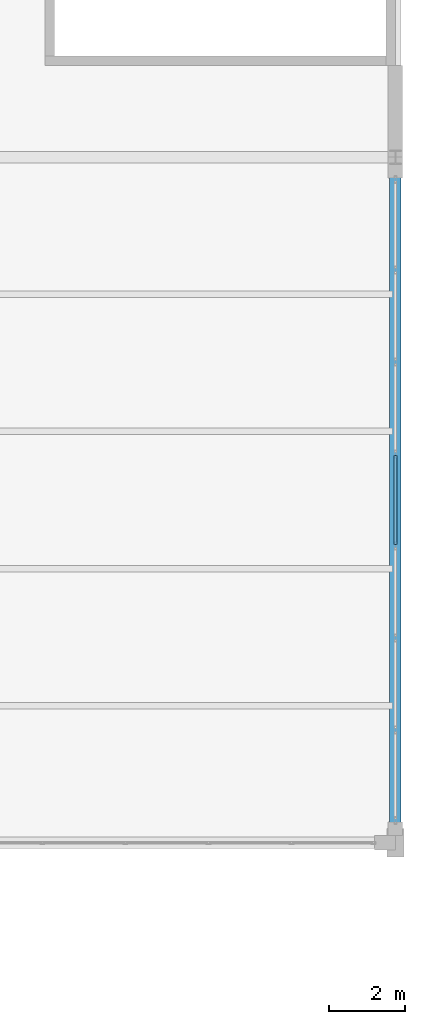
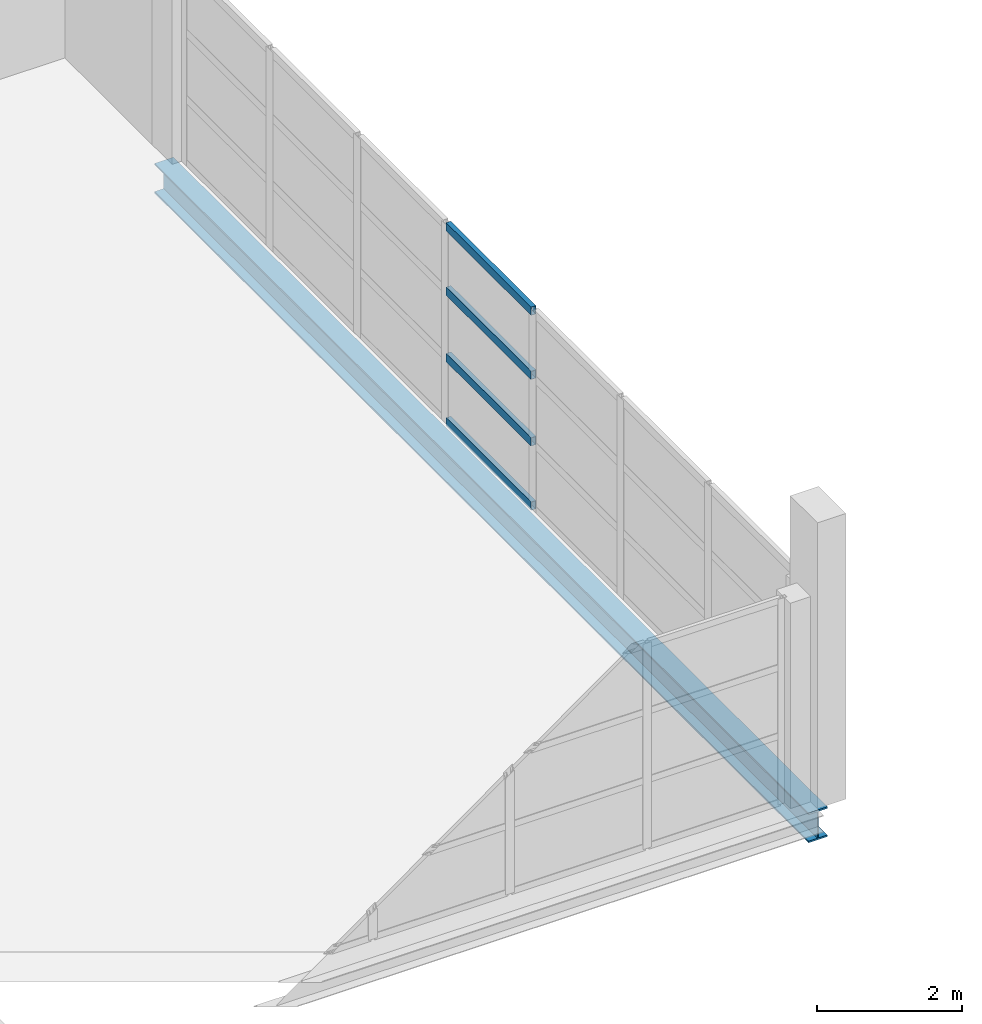
# One storey, part 39 of 86: 4 members, 1 beam, 1 element without a shape of its own.
"""IFC4 building model written with IfcOpenShell, lengths in metres."""

import ifcopenshell
import ifcopenshell.guid

model = None  # the IFC model being written
_history = None  # IfcOwnerHistory: only IFC2X3 demands one
_inside = {}  # id of a spatial element -> (the spatial element, [elements in it])
_under = {}  # id of a project, library or spatial element -> (it, [spatial elements below it])
_declared = {}  # id of a project -> (the project, [libraries it declares])
_typed = {}  # id of a type object -> (the type object, [elements of that type])
_made_of = {}  # id of a material, layer set ... -> (it, [elements and type objects made of it])


def new_model(schema):
    """Start an empty IFC model of exactly this schema.

    Asked for "IFC4X3", IfcOpenShell would pick the latest addendum, in which some entities
    have other attributes; the version numbers below select the first issue.
    IFC2X3 requires an IfcOwnerHistory on every rooted entity: one is made here for all.
    """
    global model, _history
    if schema == "IFC4X3":
        model = ifcopenshell.file(schema_version=(4, 3, 0, 0))
    else:
        model = ifcopenshell.file(schema=schema)
    _inside.clear()
    _under.clear()
    _declared.clear()
    _typed.clear()
    _made_of.clear()
    _history = None
    if model.schema == "IFC2X3":
        org = make("IfcOrganization", Name="unknown")
        user = make(
            "IfcPersonAndOrganization",
            ThePerson=make("IfcPerson", FamilyName="unknown"),
            TheOrganization=org,
        )
        app = make(
            "IfcApplication",
            ApplicationDeveloper=org,
            Version="unknown",
            ApplicationFullName="unknown",
            ApplicationIdentifier="unknown",
        )
        _history = make(
            "IfcOwnerHistory",
            OwningUser=user,
            OwningApplication=app,
            ChangeAction="ADDED",
            CreationDate=0,
        )
    return model


def make(cls, **values):
    """One entity of the class cls with the attributes given. An attribute that is None is left unset."""
    return model.create_entity(
        cls, **{name: value for name, value in values.items() if value is not None}
    )


def rooted(cls, **values):
    """An entity with a GlobalId (a new one), such as an element, a storey or a relation."""
    return make(cls, GlobalId=ifcopenshell.guid.new(), OwnerHistory=_history, **values)


def si_unit(unit_type, name, prefix=None):
    """IfcSIUnit, for example si_unit("LENGTHUNIT", "METRE", prefix="MILLI")."""
    return make("IfcSIUnit", UnitType=unit_type, Prefix=prefix, Name=name)


def assignment(units):
    """IfcUnitAssignment: the units of a project."""
    return None if units is None else make("IfcUnitAssignment", Units=units)


def point(xyz):
    """IfcCartesianPoint."""
    return None if xyz is None else make("IfcCartesianPoint", Coordinates=xyz)


def direction(xyz):
    """IfcDirection."""
    return None if xyz is None else make("IfcDirection", DirectionRatios=xyz)


def frame(location, z_axis=None, x_axis=None):
    """IfcAxis2Placement3D, a coordinate frame: its origin and axes. An axis left out is left unset."""
    return make(
        "IfcAxis2Placement3D",
        Location=point(location),
        Axis=direction(z_axis),
        RefDirection=direction(x_axis),
    )


def frame_2d(location, x_axis=None):
    """IfcAxis2Placement2D, a coordinate frame in the plane: its origin and x axis."""
    return make(
        "IfcAxis2Placement2D", Location=point(location), RefDirection=direction(x_axis)
    )


def origin():
    """The frame at (0, 0, 0) with its axes left unset."""
    return frame((0.0, 0.0, 0.0))


def origin_2d():
    """The frame at (0, 0) in the plane with its x axis left unset."""
    return frame_2d((0.0, 0.0))


def place(relative_to, where):
    """IfcLocalPlacement: puts the frame where relative to a parent placement (None: the world)."""
    return make(
        "IfcLocalPlacement", PlacementRelTo=relative_to, RelativePlacement=where
    )


def context(
    kind, dimensions, precision=None, world=None, true_north=None, identifier=None
):
    """IfcGeometricRepresentationContext, for example the 3D "Model" context."""
    return make(
        "IfcGeometricRepresentationContext",
        ContextIdentifier=identifier,
        ContextType=kind,
        CoordinateSpaceDimension=dimensions,
        Precision=precision,
        WorldCoordinateSystem=world,
        TrueNorth=true_north,
    )


def subcontext(parent, identifier, kind, view, scale=None):
    """IfcGeometricRepresentationSubContext, for example "Body" below "Model"."""
    return make(
        "IfcGeometricRepresentationSubContext",
        ContextIdentifier=identifier,
        ContextType=kind,
        ParentContext=parent,
        TargetScale=scale,
        TargetView=view,
    )


def project(units=None, contexts=None):
    """IfcProject with its units and contexts."""
    return rooted(
        "IfcProject",
        Name="project",
        RepresentationContexts=contexts,
        UnitsInContext=assignment(units),
    )


def spatial(cls, under=None, at=None, **own):
    """A site, building, storey or space (cls), placed at a placement, below another one or the project."""
    s = rooted(cls, ObjectPlacement=at, **own)
    if under is not None:
        _under.setdefault(under.id(), (under, []))[1].append(s)
    return s


def profile(cls, at=None, kind="AREA", **sizes):
    """A parametric profile (cls). Its sizes go by their IFC names, for example OverallWidth=200.0."""
    return make(cls, ProfileType=kind, Position=at, **sizes)


def hollow_rectangle(**sizes):
    """IfcRectangleHollowProfileDef."""
    return profile("IfcRectangleHollowProfileDef", **sizes)


def i_section(**sizes):
    """IfcIShapeProfileDef."""
    return profile("IfcIShapeProfileDef", **sizes)


def extrude(swept, where, along, depth):
    """IfcExtrudedAreaSolid: the profile swept, set in the frame where, extruded along a direction by depth."""
    return make(
        "IfcExtrudedAreaSolid",
        SweptArea=swept,
        Position=where,
        ExtrudedDirection=direction(along),
        Depth=depth,
    )


def shape(context_of_items, identifier, shape_type, items):
    """IfcShapeRepresentation: the items that make up one representation, for example the "Body"."""
    return make(
        "IfcShapeRepresentation",
        ContextOfItems=context_of_items,
        RepresentationIdentifier=identifier,
        RepresentationType=shape_type,
        Items=items,
    )


def material(Name=None, Category=None):
    """IfcMaterial."""
    return make("IfcMaterial", Name=Name, Category=Category)


def layer(
    of_material, thickness, ventilated=None, Name=None, Category=None, Priority=None
):
    """IfcMaterialLayer: one layer of a wall or slab, of a material (None: an air gap)."""
    return make(
        "IfcMaterialLayer",
        Material=of_material,
        LayerThickness=thickness,
        IsVentilated=ventilated,
        Name=Name,
        Category=Category,
        Priority=Priority,
    )


def layer_set(layers, Name=None):
    """IfcMaterialLayerSet."""
    return make("IfcMaterialLayerSet", MaterialLayers=layers, LayerSetName=Name)


def material_profile(
    of_material, cross_section, Name=None, Category=None, Priority=None
):
    """IfcMaterialProfile: a cross section and its material."""
    return make(
        "IfcMaterialProfile",
        Name=Name,
        Material=of_material,
        Profile=cross_section,
        Priority=Priority,
        Category=Category,
    )


def profile_set(profiles, Name=None, composite=None):
    """IfcMaterialProfileSet."""
    return make(
        "IfcMaterialProfileSet",
        Name=Name,
        MaterialProfiles=profiles,
        CompositeProfile=composite,
    )


def made_of(thing, what):
    """Note that an element or type object is made of a material, layer set ...; save() writes the relation."""
    if what is not None:
        _made_of.setdefault(what.id(), (what, []))[1].append(thing)
    return thing


def type_object(cls, material=None, **own):
    """A type object (cls), such as IfcWallType, which elements share."""
    return made_of(rooted(cls, **own), material)


def element(
    cls,
    number,
    at=None,
    inside=None,
    cuts=None,
    type_object=None,
    material=None,
    context=None,
    identifier="Body",
    shape_type=None,
    held_by="IfcProductDefinitionShape",
    body=None,
    shapes=None,
    **own,
):
    """One element of the class cls, such as IfcWall. Its Tag is "e" and its number.

    at: its placement. inside: the storey or other place that contains it. cuts: it is an
    opening in that element (IfcRelVoidsElement). A single representation is given by context,
    identifier, shape_type and body (its items); several are given by shapes. held_by: the class
    of the entity that holds the representations. save() writes the other relations.
    """
    e = rooted(cls, Tag="e%d" % number, ObjectPlacement=at, **own)
    if body is not None:
        shapes = [shape(context, identifier, shape_type, body)]
    if shapes is not None:
        e.Representation = make(held_by, Representations=shapes)
    if inside is not None:
        _inside.setdefault(inside.id(), (inside, []))[1].append(e)
    if cuts is not None:
        rooted(
            "IfcRelVoidsElement", RelatingBuildingElement=cuts, RelatedOpeningElement=e
        )
    if type_object is not None:
        _typed.setdefault(type_object.id(), (type_object, []))[1].append(e)
    return made_of(e, material)


def aggregate(whole, parts):
    """IfcRelAggregates: a whole, such as a stair, and the parts it consists of."""
    return rooted("IfcRelAggregates", RelatingObject=whole, RelatedObjects=parts)


def save(model, path):
    """Write the relations noted so far, then the file.

    IfcRelAggregates (storeys below a building ...), IfcRelContainedInSpatialStructure (elements
    in a storey), IfcRelDefinesByType, IfcRelAssociatesMaterial and IfcRelDeclares: one each for
    every whole, place, type object, material and project.
    """
    for whole, parts in _under.values():
        aggregate(whole, parts)
    for where, things in _inside.values():
        rooted(
            "IfcRelContainedInSpatialStructure",
            RelatedElements=things,
            RelatingStructure=where,
        )
    for kind, things in _typed.values():
        rooted("IfcRelDefinesByType", RelatedObjects=things, RelatingType=kind)
    for what, things in _made_of.values():
        rooted("IfcRelAssociatesMaterial", RelatedObjects=things, RelatingMaterial=what)
    for by, libraries in _declared.values():
        rooted("IfcRelDeclares", RelatingContext=by, RelatedDefinitions=libraries)
    model.write(path)


model = new_model("IFC4")

# Units and contexts
model_context = context("Model", 3, precision=1e-05, world=origin(), true_north=direction((0.0, 1.0)))
body_context = subcontext(model_context, "Body", "Model", "MODEL_VIEW")
ifc_project = project(units=[si_unit("LENGTHUNIT", "METRE"), si_unit("AREAUNIT", "SQUARE_METRE"), si_unit("VOLUMEUNIT", "CUBIC_METRE"), si_unit("PLANEANGLEUNIT", "RADIAN"), si_unit("MASSUNIT", "GRAM", prefix="KILO")], contexts=[model_context])

# Site, building, storey
site_placement = place(None, origin())
site = spatial("IfcSite", under=ifc_project, at=site_placement, CompositionType="ELEMENT")
building_placement = place(site_placement, origin())
building = spatial("IfcBuilding", under=site, at=building_placement, Name="Zilviju Railside Exhibition Hall", CompositionType="ELEMENT")
storey_placement = place(building_placement, frame((0.0, 0.0, 12.60009765625)))
storey = spatial("IfcBuildingStorey", under=building, at=storey_placement, Name="L04", CompositionType="ELEMENT", Elevation=12.60009765625)

# Beam
ifc_material_1 = material(Name="Steel S355J2", Category="steel")
ifc_material_profile_1 = material_profile(ifc_material_1, i_section(OverallWidth=0.300048828125, OverallDepth=0.5, WebThickness=0.014404296875, FlangeThickness=0.028076171875, at=origin_2d()), Name="HEB 500")
ifc_profile_set_1 = profile_set([ifc_material_profile_1], Name="Steel S355J2")
beam_type = type_object("IfcBeamType", Name="BM-HEB500", PredefinedType="BEAM", material=ifc_profile_set_1)
beam_placement = place(storey_placement, frame((216.0, 84.0, -0.580078125), z_axis=(0.0, 1.0, 0.0), x_axis=(-1.0, 0.0, 0.0)))
element("IfcBeam", 1, at=beam_placement, inside=storey, type_object=beam_type, Name="Transverse Girder L04 X=216.0 (84.0..102.0)", PredefinedType="BEAM", context=body_context, shape_type="SweptSolid", body=[
    extrude(i_section(OverallWidth=0.300048828125, OverallDepth=0.5, WebThickness=0.014404296875, FlangeThickness=0.028076171875, at=origin_2d()), origin(), (0.0, 0.0, 1.0), 18.0),
])

# Curtain wall, members
ifc_material_2 = material(Name="Thermally broken aluminium-steel triple-glazed curtain wall", Category="steel")
ifc_layer = layer(ifc_material_2, 0.179931640625)
ifc_layer_set = layer_set([ifc_layer], Name="Thermally broken aluminium-steel triple-glazed curtain wall")
curtain_wall_type = type_object("IfcCurtainWallType", Name="CW-BAY-13", PredefinedType="USERDEFINED", material=ifc_layer_set)
curtain_wall_placement = place(storey_placement, origin())
curtain_wall = element("IfcCurtainWall", 2, at=curtain_wall_placement, inside=storey, type_object=curtain_wall_type, Name="North Hall East Glazed Gable L04 (84..102)", ObjectType="GLAZED CURTAIN WALL", PredefinedType="USERDEFINED")
ifc_material_3 = material(Name="Thermally broken anodized aluminium transom", Category="aluminium")
ifc_material_profile_2 = material_profile(ifc_material_3, hollow_rectangle(XDim=0.074951171875, YDim=0.139892578125, WallThickness=0.0048828125, at=origin_2d()), Name="TRANSOM 140x75x5")
ifc_profile_set_2 = profile_set([ifc_material_profile_2], Name="Thermally broken anodized aluminium transom")
member_type = type_object("IfcMemberType", Name="CWT-75x140", PredefinedType="USERDEFINED", material=ifc_profile_set_2)
member_1_placement = place(storey_placement, frame((216.0, 94.169677734375, 0.037353515625), z_axis=(0.0, -1.0, 0.0), x_axis=(1.0, 0.0, 0.0)))
member_1 = element("IfcMember", 3, at=member_1_placement, type_object=member_type, Name="CW-13 transom 4.1", ObjectType="TRANSOM", PredefinedType="USERDEFINED", context=body_context, shape_type="SweptSolid", body=[
    extrude(hollow_rectangle(XDim=0.074951171875, YDim=0.139892578125, WallThickness=0.0048828125, at=origin_2d()), origin(), (0.0, 0.0, 1.0), 2.33935546875),
])
member_2_placement = place(storey_placement, frame((216.0, 94.169677734375, 1.116943359375), z_axis=(0.0, -1.0, 0.0), x_axis=(1.0, 0.0, 0.0)))
member_2 = element("IfcMember", 4, at=member_2_placement, type_object=member_type, Name="CW-13 transom 4.2", ObjectType="TRANSOM", PredefinedType="USERDEFINED", context=body_context, shape_type="SweptSolid", body=[
    extrude(hollow_rectangle(XDim=0.074951171875, YDim=0.139892578125, WallThickness=0.0048828125, at=origin_2d()), origin(), (0.0, 0.0, 1.0), 2.33935546875),
])
member_3_placement = place(storey_placement, frame((216.0, 94.169677734375, 2.23291015625), z_axis=(0.0, -1.0, 0.0), x_axis=(1.0, 0.0, 0.0)))
member_3 = element("IfcMember", 5, at=member_3_placement, type_object=member_type, Name="CW-13 transom 4.3", ObjectType="TRANSOM", PredefinedType="USERDEFINED", context=body_context, shape_type="SweptSolid", body=[
    extrude(hollow_rectangle(XDim=0.074951171875, YDim=0.139892578125, WallThickness=0.0048828125, at=origin_2d()), origin(), (0.0, 0.0, 1.0), 2.33935546875),
])
member_4_placement = place(storey_placement, frame((216.0, 94.169677734375, 3.3125), z_axis=(0.0, -1.0, 0.0), x_axis=(1.0, 0.0, 0.0)))
member_4 = element("IfcMember", 6, at=member_4_placement, type_object=member_type, Name="CW-13 transom 4.4", ObjectType="TRANSOM", PredefinedType="USERDEFINED", context=body_context, shape_type="SweptSolid", body=[
    extrude(hollow_rectangle(XDim=0.074951171875, YDim=0.139892578125, WallThickness=0.0048828125, at=origin_2d()), origin(), (0.0, 0.0, 1.0), 2.33935546875),
])
aggregate(curtain_wall, [member_1, member_2, member_3, member_4])

save(model, "model.ifc")
